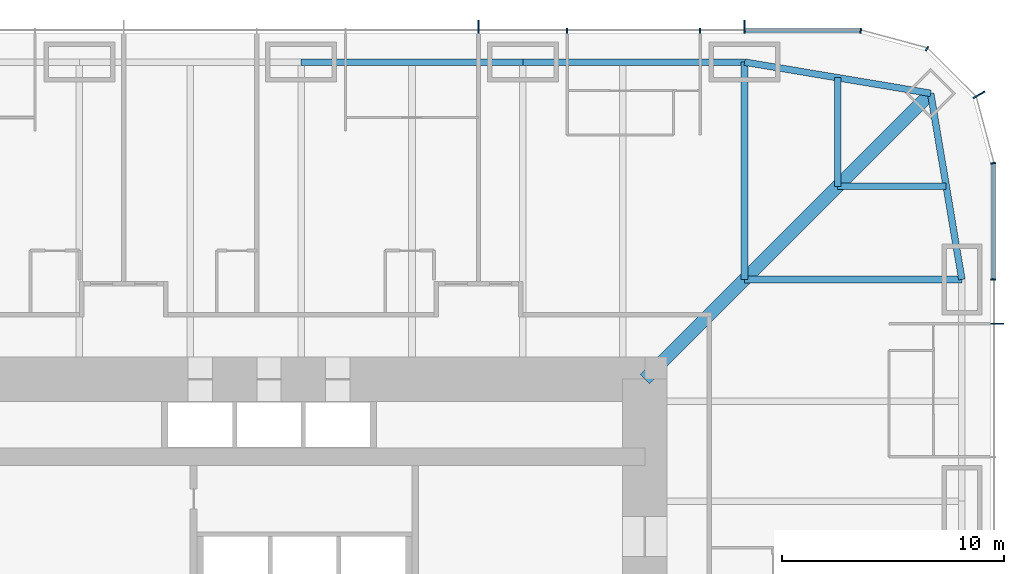
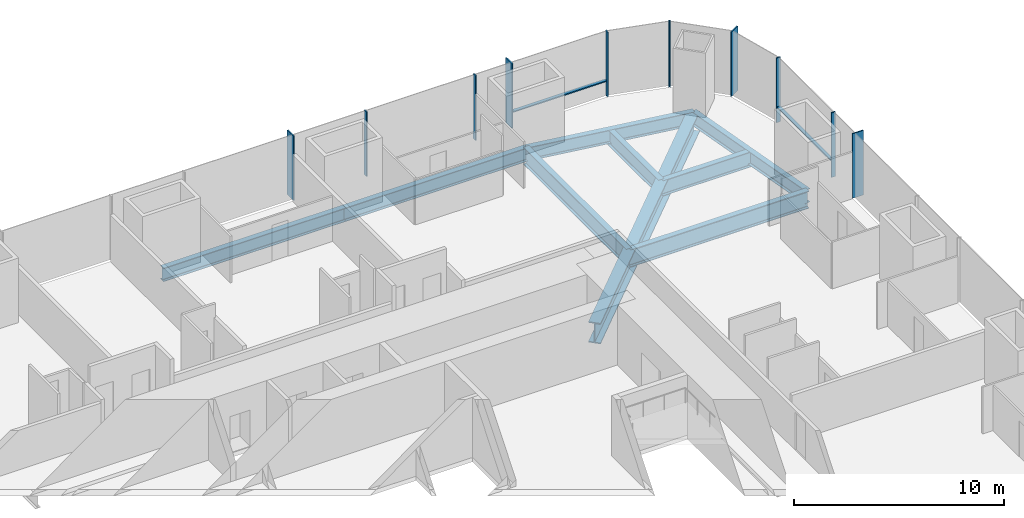
# One storey, part 9 of 17: 12 members, 9 beams, 3 elements without a shape of their own.
"""IFC4 building model written with IfcOpenShell, lengths in metres."""

from ifc_helpers import new_model, si_unit, direction, frame, origin, origin_2d, place, context, subcontext, project, spatial, rectangle, i_section, extrude, material, material_profile, profile_set, type_object, element, aggregate, save


model = new_model("IFC4")

# Units and contexts
model_context = context("Model", 3, precision=1e-05, world=origin(), true_north=direction((0.0, 1.0)))
body_context = subcontext(model_context, "Body", "Model", "MODEL_VIEW")
ifc_project = project(units=[si_unit("LENGTHUNIT", "METRE"), si_unit("AREAUNIT", "SQUARE_METRE"), si_unit("VOLUMEUNIT", "CUBIC_METRE"), si_unit("PLANEANGLEUNIT", "RADIAN"), si_unit("MASSUNIT", "GRAM", prefix="KILO")], contexts=[model_context])

# Site, building, storey
site_placement = place(None, origin())
site = spatial("IfcSite", under=ifc_project, at=site_placement, CompositionType="ELEMENT")
building_placement = place(site_placement, origin())
building = spatial("IfcBuilding", under=site, at=building_placement, Name="Khuree Lantern Residences", CompositionType="ELEMENT")
storey_placement = place(building_placement, frame((0.0, 0.0, 73.5)))
storey = spatial("IfcBuildingStorey", under=building, at=storey_placement, Name="L18", CompositionType="ELEMENT", Elevation=73.5)

# Beams
ifc_material_1 = material(Name="Steel S355", Category="steel")
ifc_material_profile_1 = material_profile(ifc_material_1, i_section(OverallWidth=0.300048828125, OverallDepth=0.889892578125, WebThickness=0.01611328125, FlangeThickness=0.030029296875, FilletRadius=0.030029296875, at=origin_2d()), Name="HE 900 A")
ifc_profile_set_1 = profile_set([ifc_material_profile_1], Name="Steel S355")
beam_type_1 = type_object("IfcBeamType", Name="B-14 SECONDARY BEAM HE 900 A", PredefinedType="BEAM", material=ifc_profile_set_1)
for number, where, z_axis, x_axis, name in (
    (1, (24.197021484375, 29.09716796875, -0.695068359375), (0.0, -1.0, 0.0), (1.0, 0.0, 0.0), "Secondary beam N5"),
    (2, (29.09716796875, 24.197021484375, -0.695068359375), (-1.0, 0.0, 0.0), (0.0, -1.0, 0.0), "Secondary beam E1"),
):
    element("IfcBeam", number, at=place(storey_placement, frame(where, z_axis=z_axis, x_axis=x_axis)), inside=storey, type_object=beam_type_1, Name=name, PredefinedType="BEAM", context=body_context, shape_type="SweptSolid", body=[
        extrude(i_section(OverallWidth=0.300048828125, OverallDepth=0.889892578125, WebThickness=0.01611328125, FlangeThickness=0.030029296875, FilletRadius=0.030029296875, at=origin_2d()), origin(), (0.0, 0.0, 1.0), 4.900146484375),
    ])
ifc_material_profile_2 = material_profile(ifc_material_1, i_section(OverallWidth=0.300048828125, OverallDepth=0.7900390625, WebThickness=0.014892578125, FlangeThickness=0.028076171875, FilletRadius=0.030029296875, at=origin_2d()), Name="HE 800 A")
ifc_profile_set_2 = profile_set([ifc_material_profile_2], Name="Steel S355")
beam_type_2 = type_object("IfcBeamType", Name="E-14 SPANDREL BEAM HE 800 A", PredefinedType="SPANDREL", material=ifc_profile_set_2)
for number, where, z_axis, x_axis, name in (
    (3, (0.0, 29.800048828125, -0.64501953125), (1.0, 0.0, 0.0), (0.0, 1.0, 0.0), "Spandrel beam N3"),
    (4, (10.0, 29.800048828125, -0.64501953125), (1.0, 0.0, 0.0), (0.0, 1.0, 0.0), "Spandrel beam N4"),
):
    element("IfcBeam", number, at=place(storey_placement, frame(where, z_axis=z_axis, x_axis=x_axis)), inside=storey, type_object=beam_type_2, Name=name, PredefinedType="SPANDREL", context=body_context, shape_type="SweptSolid", body=[
        extrude(i_section(OverallWidth=0.300048828125, OverallDepth=0.7900390625, WebThickness=0.014892578125, FlangeThickness=0.028076171875, FilletRadius=0.030029296875, at=origin_2d()), origin(), (0.0, 0.0, 1.0), 10.0),
    ])
for number, where, z_axis, x_axis, name in (
    (5, (20.0, 29.800048828125, -0.64501953125), (0.986260251158, -0.165199022349, 0.0), (0.165199022349, 0.986260251158, 0.0), "Spandrel beam N5"),
    (6, (28.39404296875, 28.39404296875, -0.64501953125), (0.165199022349, -0.986260251158, 0.0), (0.986260251158, 0.165199022349, 0.0), "Spandrel beam E1"),
):
    element("IfcBeam", number, at=place(storey_placement, frame(where, z_axis=z_axis, x_axis=x_axis)), inside=storey, type_object=beam_type_2, Name=name, PredefinedType="SPANDREL", context=body_context, shape_type="SweptSolid", body=[
        extrude(i_section(OverallWidth=0.300048828125, OverallDepth=0.7900390625, WebThickness=0.014892578125, FlangeThickness=0.028076171875, FilletRadius=0.030029296875, at=origin_2d()), origin(), (0.0, 0.0, 1.0), 8.510986328125),
    ])

# Curtain wall, member
ifc_material_2 = material(Name="Bronze anodised aluminium", Category="aluminium")
curtain_wall_type_1 = type_object("IfcCurtainWallType", Name="CW-T1 TOWER FACE CURTAIN WALL", PredefinedType="USERDEFINED", material=ifc_material_2)
curtain_wall_1_placement = place(storey_placement, origin())
curtain_wall_1 = element("IfcCurtainWall", 7, at=curtain_wall_1_placement, inside=storey, type_object=curtain_wall_type_1, Name="L18 EAST FACE CURTAIN WALL", ObjectType="Stick-built curtain wall", PredefinedType="USERDEFINED")
ifc_material_profile_3 = material_profile(ifc_material_2, rectangle(XDim=0.06494140625, YDim=0.60009765625, at=origin_2d()), Name="F1 65X600")
ifc_profile_set_3 = profile_set([ifc_material_profile_3], Name="Bronze anodised aluminium")
member_type_1 = type_object("IfcMemberType", Name="F1 BRONZE FIN MULLION TOWER 65X600", PredefinedType="MULLION", material=ifc_profile_set_3)
member_1_placement = place(storey_placement, frame((31.39990234375, 18.0, 0.0), z_axis=(0.0, 0.0, 1.0), x_axis=(0.0, 1.0, 0.0)))
member_1 = element("IfcMember", 8, at=member_1_placement, type_object=member_type_1, Name="L18 EAST FACE FIN MULLION 13", PredefinedType="MULLION", context=body_context, shape_type="SweptSolid", body=[
    extrude(rectangle(XDim=0.06494140625, YDim=0.60009765625, at=origin_2d()), origin(), (0.0, 0.0, 1.0), 3.75),
])

curtain_wall_type_2 = type_object("IfcCurtainWallType", Name="CW-T2 TOWER CORNER CURTAIN WALL", PredefinedType="USERDEFINED", material=ifc_material_2)
curtain_wall_2_placement = place(storey_placement, origin())
curtain_wall_2 = element("IfcCurtainWall", 9, at=curtain_wall_2_placement, inside=storey, type_object=curtain_wall_type_2, Name="L18 NORTH-EAST CORNER CURTAIN WALL", ObjectType="Faceted corner curtain wall", PredefinedType="USERDEFINED")
member_2_placement = place(storey_placement, frame((30.576171875, 28.324951171875, 0.0), z_axis=(0.0, 0.0, 1.0), x_axis=(-0.500000056923, 0.86602537092, 0.0)))
member_2 = element("IfcMember", 10, at=member_2_placement, type_object=member_type_1, Name="L18 NORTH-EAST CORNER FIN MULLION 16", PredefinedType="MULLION", context=body_context, shape_type="SweptSolid", body=[
    extrude(rectangle(XDim=0.06494140625, YDim=0.60009765625, at=origin_2d()), origin(), (0.0, 0.0, 1.0), 3.75),
])

# Curtain wall, members
curtain_wall_3_placement = place(storey_placement, origin())
curtain_wall_3 = element("IfcCurtainWall", 11, at=curtain_wall_3_placement, inside=storey, type_object=curtain_wall_type_1, Name="L18 NORTH FACE CURTAIN WALL", ObjectType="Stick-built curtain wall", PredefinedType="USERDEFINED")
member_3_placement = place(storey_placement, frame((20.0, 31.39990234375, 0.0), z_axis=(0.0, 0.0, 1.0), x_axis=(-1.0, 0.0, 0.0)))
member_3 = element("IfcMember", 12, at=member_3_placement, type_object=member_type_1, Name="L18 NORTH FACE FIN MULLION 19", PredefinedType="MULLION", context=body_context, shape_type="SweptSolid", body=[
    extrude(rectangle(XDim=0.06494140625, YDim=0.60009765625, at=origin_2d()), origin(), (0.0, 0.0, 1.0), 3.75),
])
member_4_placement = place(storey_placement, frame((8.0, 31.39990234375, 0.0), z_axis=(0.0, 0.0, 1.0), x_axis=(-1.0, 0.0, 0.0)))
member_4 = element("IfcMember", 13, at=member_4_placement, type_object=member_type_1, Name="L18 NORTH FACE FIN MULLION 22", PredefinedType="MULLION", context=body_context, shape_type="SweptSolid", body=[
    extrude(rectangle(XDim=0.06494140625, YDim=0.60009765625, at=origin_2d()), origin(), (0.0, 0.0, 1.0), 3.75),
])

# Beams
ifc_material_profile_4 = material_profile(ifc_material_1, i_section(OverallWidth=0.302001953125, OverallDepth=1.008056640625, WebThickness=0.02099609375, FlangeThickness=0.0400390625, FilletRadius=0.030029296875, at=origin_2d()), Name="HE 1000 M")
ifc_profile_set_4 = profile_set([ifc_material_profile_4], Name="Steel S355")
beam_type_3 = type_object("IfcBeamType", Name="G-14 GIRDER HE 1000 M", PredefinedType="BEAM", material=ifc_profile_set_4)
for number, where, z_axis, x_axis, name in (
    (14, (20.0, 29.800048828125, -0.75390625), (0.0, -1.0, 0.0), (1.0, 0.0, 0.0), "Girder N5"),
    (15, (29.800048828125, 20.0, -0.75390625), (-1.0, 0.0, 0.0), (0.0, -1.0, 0.0), "Girder E1"),
):
    element("IfcBeam", number, at=place(storey_placement, frame(where, z_axis=z_axis, x_axis=x_axis)), inside=storey, type_object=beam_type_3, Name=name, PredefinedType="BEAM", context=body_context, shape_type="SweptSolid", body=[
        extrude(i_section(OverallWidth=0.302001953125, OverallDepth=1.008056640625, WebThickness=0.02099609375, FlangeThickness=0.0400390625, FilletRadius=0.030029296875, at=origin_2d()), origin(), (0.0, 0.0, 1.0), 9.800048828125),
    ])
ifc_material_profile_5 = material_profile(ifc_material_1, i_section(OverallWidth=0.60009765625, OverallDepth=1.199951171875, WebThickness=0.030029296875, FlangeThickness=0.06005859375, at=origin_2d()), Name="WELDED I 1200X600X30X60")
ifc_profile_set_5 = profile_set([ifc_material_profile_5], Name="Steel S355")
beam_type_4 = type_object("IfcBeamType", Name="GD-14 CORNER GIRDER WELDED I 1200X600X30X60", PredefinedType="BEAM", material=ifc_profile_set_5)
beam_placement = place(storey_placement, frame((28.39404296875, 28.39404296875, -0.85009765625), z_axis=(-0.707106781187, -0.707106781187, 0.0), x_axis=(0.707106781187, -0.707106781187, 0.0)))
element("IfcBeam", 16, at=beam_placement, inside=storey, type_object=beam_type_4, Name="Corner girder NE", PredefinedType="BEAM", context=body_context, shape_type="SweptSolid", body=[
    extrude(i_section(OverallWidth=0.60009765625, OverallDepth=1.199951171875, WebThickness=0.030029296875, FlangeThickness=0.06005859375, at=origin_2d()), origin(), (0.0, 0.0, 1.0), 18.23486328125),
])

# Member
ifc_material_profile_6 = material_profile(ifc_material_2, rectangle(XDim=0.06494140625, YDim=0.219970703125, at=origin_2d()), Name="M1 65X220")
ifc_profile_set_6 = profile_set([ifc_material_profile_6], Name="Bronze anodised aluminium")
member_type_2 = type_object("IfcMemberType", Name="M1 BRONZE MULLION TOWER 65X220", PredefinedType="MULLION", material=ifc_profile_set_6)
member_5_placement = place(storey_placement, frame((31.2099609375, 20.0, 0.0), z_axis=(0.0, 0.0, 1.0), x_axis=(0.0, 1.0, 0.0)))
member_5 = element("IfcMember", 17, at=member_5_placement, type_object=member_type_2, Name="L18 EAST FACE MULLION 14", PredefinedType="MULLION", context=body_context, shape_type="SweptSolid", body=[
    extrude(rectangle(XDim=0.06494140625, YDim=0.219970703125, at=origin_2d()), origin(), (0.0, 0.0, 1.0), 3.75),
])

member_6_placement = place(storey_placement, frame((31.211669921875, 25.244873046875, 0.0), z_axis=(0.0, 0.0, 1.0), x_axis=(-0.130526257387, 0.991444852794, 0.0)))
member_6 = element("IfcMember", 18, at=member_6_placement, type_object=member_type_2, Name="L18 NORTH-EAST CORNER MULLION 15", PredefinedType="MULLION", context=body_context, shape_type="SweptSolid", body=[
    extrude(rectangle(XDim=0.06494140625, YDim=0.219970703125, at=origin_2d()), origin(), (0.0, 0.0, 1.0), 3.75),
])

member_7_placement = place(storey_placement, frame((28.22998046875, 30.41162109375, 0.0), z_axis=(0.0, 0.0, 1.0), x_axis=(-0.86602537092, 0.500000056923, 0.0)))
member_7 = element("IfcMember", 19, at=member_7_placement, type_object=member_type_2, Name="L18 NORTH-EAST CORNER MULLION 17", PredefinedType="MULLION", context=body_context, shape_type="SweptSolid", body=[
    extrude(rectangle(XDim=0.06494140625, YDim=0.219970703125, at=origin_2d()), origin(), (0.0, 0.0, 1.0), 3.75),
])

aggregate(curtain_wall_2, [member_6, member_2, member_7])

member_8_placement = place(storey_placement, frame((25.244873046875, 31.211669921875, 0.0), z_axis=(0.0, 0.0, 1.0), x_axis=(-0.991444852794, 0.130526257387, 0.0)))
member_8 = element("IfcMember", 20, at=member_8_placement, type_object=member_type_2, Name="L18 NORTH FACE MULLION 18", PredefinedType="MULLION", context=body_context, shape_type="SweptSolid", body=[
    extrude(rectangle(XDim=0.06494140625, YDim=0.219970703125, at=origin_2d()), origin(), (0.0, 0.0, 1.0), 3.75),
])

member_9_placement = place(storey_placement, frame((18.0, 31.2099609375, 0.0), z_axis=(0.0, 0.0, 1.0), x_axis=(-1.0, 0.0, 0.0)))
member_9 = element("IfcMember", 21, at=member_9_placement, type_object=member_type_2, Name="L18 NORTH FACE MULLION 20", PredefinedType="MULLION", context=body_context, shape_type="SweptSolid", body=[
    extrude(rectangle(XDim=0.06494140625, YDim=0.219970703125, at=origin_2d()), origin(), (0.0, 0.0, 1.0), 3.75),
])

member_10_placement = place(storey_placement, frame((12.0, 31.2099609375, 0.0), z_axis=(0.0, 0.0, 1.0), x_axis=(-1.0, 0.0, 0.0)))
member_10 = element("IfcMember", 22, at=member_10_placement, type_object=member_type_2, Name="L18 NORTH FACE MULLION 21", PredefinedType="MULLION", context=body_context, shape_type="SweptSolid", body=[
    extrude(rectangle(XDim=0.06494140625, YDim=0.219970703125, at=origin_2d()), origin(), (0.0, 0.0, 1.0), 3.75),
])

ifc_material_profile_7 = material_profile(ifc_material_2, rectangle(XDim=0.179931640625, YDim=0.06494140625, at=origin_2d()), Name="T1 180X65")
ifc_profile_set_7 = profile_set([ifc_material_profile_7], Name="Bronze anodised aluminium")
member_type_3 = type_object("IfcMemberType", Name="TRANSOM T1 TOWER 180X65", PredefinedType="USERDEFINED", material=ifc_profile_set_7)
member_11_placement = place(storey_placement, frame((31.219970703125, 20.032470703125, 0.89990234375), z_axis=(0.0, 1.0, 0.0), x_axis=(-1.0, 0.0, 0.0)))
member_11 = element("IfcMember", 23, at=member_11_placement, type_object=member_type_3, Name="L18 EAST FACE TRANSOM 14.1", ObjectType="Transom", PredefinedType="USERDEFINED", context=body_context, shape_type="SweptSolid", body=[
    extrude(rectangle(XDim=0.179931640625, YDim=0.06494140625, at=origin_2d()), origin(), (0.0, 0.0, 1.0), 5.1689453125),
])

aggregate(curtain_wall_1, [member_1, member_5, member_11])

member_12_placement = place(storey_placement, frame((25.201416015625, 31.219970703125, 0.89990234375), z_axis=(-1.0, 0.0, 0.0), x_axis=(0.0, -1.0, 0.0)))
member_12 = element("IfcMember", 24, at=member_12_placement, type_object=member_type_3, Name="L18 NORTH FACE TRANSOM 18.1", ObjectType="Transom", PredefinedType="USERDEFINED", context=body_context, shape_type="SweptSolid", body=[
    extrude(rectangle(XDim=0.179931640625, YDim=0.06494140625, at=origin_2d()), origin(), (0.0, 0.0, 1.0), 5.1689453125),
])

aggregate(curtain_wall_3, [member_8, member_3, member_9, member_10, member_4, member_12])

save(model, "model.ifc")
